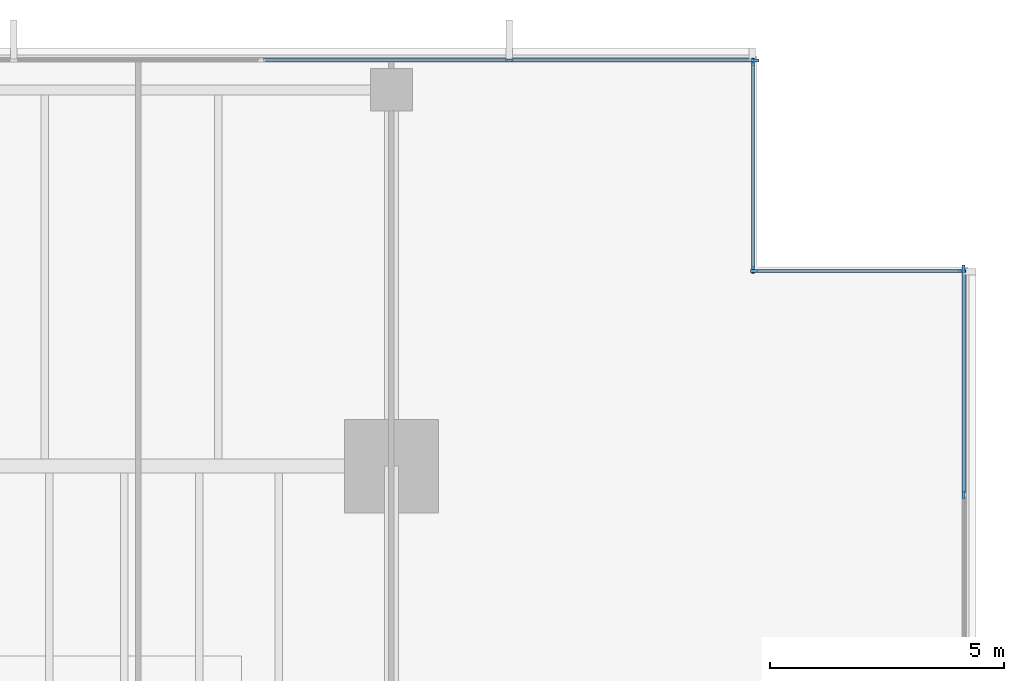
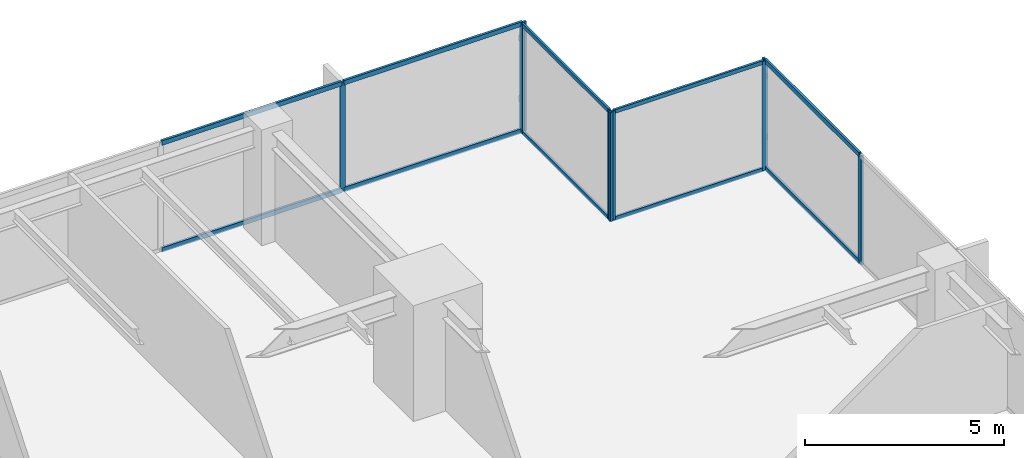
# One storey, part 7 of 15: 18 members, 4 elements without a shape of their own.
"""IFC4 building model written with IfcOpenShell, lengths in metres."""

from ifc_helpers import new_model, si_unit, direction, frame, origin, origin_2d, place, context, subcontext, project, spatial, rectangle, extrude, material, layer, layer_set, material_profile, profile_set, type_object, element, aggregate, save


model = new_model("IFC4")

# Units and contexts
model_context = context("Model", 3, precision=1e-05, world=origin(), true_north=direction((0.0, 1.0)))
body_context = subcontext(model_context, "Body", "Model", "MODEL_VIEW")
ifc_project = project(units=[si_unit("LENGTHUNIT", "METRE"), si_unit("AREAUNIT", "SQUARE_METRE"), si_unit("VOLUMEUNIT", "CUBIC_METRE"), si_unit("PLANEANGLEUNIT", "RADIAN"), si_unit("MASSUNIT", "GRAM", prefix="KILO")], contexts=[model_context])

# Site, building, storey
site_placement = place(None, origin())
site = spatial("IfcSite", under=ifc_project, at=site_placement, CompositionType="ELEMENT")
building_placement = place(site_placement, origin())
building = spatial("IfcBuilding", under=site, at=building_placement, Name="Kinhvarn Gate Tower", CompositionType="ELEMENT")
storey_placement = place(building_placement, frame((0.0, 0.0, 169.699951171875)))
storey = spatial("IfcBuildingStorey", under=building, at=storey_placement, Name="L45", CompositionType="ELEMENT", Elevation=169.699951171875)

# Curtain wall, members
ifc_material = material(Name="Anodised aluminium AW-6063", Category="aluminium")
ifc_layer_1 = layer(ifc_material, 0.179931640625)
ifc_layer_set_1 = layer_set([ifc_layer_1], Name="Anodised aluminium AW-6063")
curtain_wall_type_1 = type_object("IfcCurtainWallType", Name="CW-SYS-3", PredefinedType="NOTDEFINED", material=ifc_layer_set_1)
curtain_wall_1_placement = place(storey_placement, origin())
curtain_wall_1 = element("IfcCurtainWall", 1, at=curtain_wall_1_placement, inside=storey, type_object=curtain_wall_type_1, Name="Curtain Wall CW3 (L45)", PredefinedType="NOTDEFINED")
ifc_material_profile_1 = material_profile(ifc_material, rectangle(XDim=0.06494140625, YDim=0.159912109375, at=origin_2d()), Name="ALU 65x160")
ifc_profile_set_1 = profile_set([ifc_material_profile_1], Name="Anodised aluminium AW-6063")
member_type_1 = type_object("IfcMemberType", Name="CW-MUL-160", PredefinedType="MULLION", material=ifc_profile_set_1)
member_1_placement = place(storey_placement, frame((45.967529296875, 46.409912109375, 0.0), z_axis=(0.0, 0.0, 1.0), x_axis=(0.0, -1.0, 0.0)))
member_1 = element("IfcMember", 2, at=member_1_placement, type_object=member_type_1, Name="CW3 mullion 1", PredefinedType="MULLION", context=body_context, shape_type="SweptSolid", body=[
    extrude(rectangle(XDim=0.06494140625, YDim=0.159912109375, at=origin_2d()), origin(), (0.0, 0.0, 1.0), 3.35009765625),
])
member_2_placement = place(storey_placement, frame((40.71435546875, 46.409912109375, 0.0), z_axis=(0.0, 0.0, 1.0), x_axis=(0.0, -1.0, 0.0)))
member_2 = element("IfcMember", 3, at=member_2_placement, type_object=member_type_1, Name="CW3 mullion 2", PredefinedType="MULLION", context=body_context, shape_type="SweptSolid", body=[
    extrude(rectangle(XDim=0.06494140625, YDim=0.159912109375, at=origin_2d()), origin(), (0.0, 0.0, 1.0), 3.35009765625),
])

curtain_wall_2_placement = place(storey_placement, origin())
curtain_wall_2 = element("IfcCurtainWall", 4, at=curtain_wall_2_placement, inside=storey, type_object=curtain_wall_type_1, Name="Curtain Wall CW3 (L45)", PredefinedType="NOTDEFINED")
member_3_placement = place(storey_placement, frame((50.409912109375, 37.142822265625, 0.0), z_axis=(0.0, 0.0, 1.0), x_axis=(-1.0, 0.0, 0.0)))
member_3 = element("IfcMember", 5, at=member_3_placement, type_object=member_type_1, Name="CW3 mullion 7", PredefinedType="MULLION", context=body_context, shape_type="SweptSolid", body=[
    extrude(rectangle(XDim=0.06494140625, YDim=0.159912109375, at=origin_2d()), origin(), (0.0, 0.0, 1.0), 3.35009765625),
])
member_4_placement = place(storey_placement, frame((50.409912109375, 41.967529296875, 0.0), z_axis=(0.0, 0.0, 1.0), x_axis=(-1.0, 0.0, 0.0)))
member_4 = element("IfcMember", 6, at=member_4_placement, type_object=member_type_1, Name="CW3 mullion 8", PredefinedType="MULLION", context=body_context, shape_type="SweptSolid", body=[
    extrude(rectangle(XDim=0.06494140625, YDim=0.159912109375, at=origin_2d()), origin(), (0.0, 0.0, 1.0), 3.35009765625),
])

ifc_layer_2 = layer(ifc_material, 0.179931640625)
ifc_layer_set_2 = layer_set([ifc_layer_2], Name="Anodised aluminium AW-6063")
curtain_wall_type_2 = type_object("IfcCurtainWallType", Name="CW-SYS-4", PredefinedType="NOTDEFINED", material=ifc_layer_set_2)
curtain_wall_3_placement = place(storey_placement, origin())
curtain_wall_3 = element("IfcCurtainWall", 7, at=curtain_wall_3_placement, inside=storey, type_object=curtain_wall_type_2, Name="Curtain Wall CW4 (L45)", PredefinedType="NOTDEFINED")
member_5_placement = place(storey_placement, frame((50.37744140625, 41.909912109375, 0.0), z_axis=(0.0, 0.0, 1.0), x_axis=(0.0, -1.0, 0.0)))
member_5 = element("IfcMember", 8, at=member_5_placement, type_object=member_type_1, Name="CW4 mullion 1", PredefinedType="MULLION", context=body_context, shape_type="SweptSolid", body=[
    extrude(rectangle(XDim=0.06494140625, YDim=0.159912109375, at=origin_2d()), origin(), (0.0, 0.0, 1.0), 3.35009765625),
])
member_6_placement = place(storey_placement, frame((45.9423828125, 41.909912109375, 0.0), z_axis=(0.0, 0.0, 1.0), x_axis=(0.0, -1.0, 0.0)))
member_6 = element("IfcMember", 9, at=member_6_placement, type_object=member_type_1, Name="CW4 mullion 2", PredefinedType="MULLION", context=body_context, shape_type="SweptSolid", body=[
    extrude(rectangle(XDim=0.06494140625, YDim=0.159912109375, at=origin_2d()), origin(), (0.0, 0.0, 1.0), 3.35009765625),
])

curtain_wall_4_placement = place(storey_placement, origin())
curtain_wall_4 = element("IfcCurtainWall", 10, at=curtain_wall_4_placement, inside=storey, type_object=curtain_wall_type_2, Name="Curtain Wall CW4 (L45)", PredefinedType="NOTDEFINED")
member_7_placement = place(storey_placement, frame((45.909912109375, 41.9423828125, 0.0), z_axis=(0.0, 0.0, 1.0), x_axis=(-1.0, 0.0, 0.0)))
member_7 = element("IfcMember", 11, at=member_7_placement, type_object=member_type_1, Name="CW4 mullion 1", PredefinedType="MULLION", context=body_context, shape_type="SweptSolid", body=[
    extrude(rectangle(XDim=0.06494140625, YDim=0.159912109375, at=origin_2d()), origin(), (0.0, 0.0, 1.0), 3.35009765625),
])
member_8_placement = place(storey_placement, frame((45.909912109375, 46.37744140625, 0.0), z_axis=(0.0, 0.0, 1.0), x_axis=(-1.0, 0.0, 0.0)))
member_8 = element("IfcMember", 12, at=member_8_placement, type_object=member_type_1, Name="CW4 mullion 2", PredefinedType="MULLION", context=body_context, shape_type="SweptSolid", body=[
    extrude(rectangle(XDim=0.06494140625, YDim=0.159912109375, at=origin_2d()), origin(), (0.0, 0.0, 1.0), 3.35009765625),
])

# Member
ifc_material_profile_2 = material_profile(ifc_material, rectangle(XDim=0.06494140625, YDim=0.1201171875, at=origin_2d()), Name="ALU 65x120")
ifc_profile_set_2 = profile_set([ifc_material_profile_2], Name="Anodised aluminium AW-6063")
member_type_2 = type_object("IfcMemberType", Name="CW-TRN-120", PredefinedType="USERDEFINED", material=ifc_profile_set_2)
member_9_placement = place(storey_placement, frame((50.344970703125, 41.909912109375, 0.032470703125), z_axis=(-1.0, 0.0, 0.0), x_axis=(0.0, -1.0, 0.0)))
member_9 = element("IfcMember", 13, at=member_9_placement, type_object=member_type_2, Name="CW4 transom 1.1", ObjectType="TRANSOM", PredefinedType="USERDEFINED", context=body_context, shape_type="SweptSolid", body=[
    extrude(rectangle(XDim=0.06494140625, YDim=0.1201171875, at=origin_2d()), origin(), (0.0, 0.0, 1.0), 4.369873046875),
])

member_10_placement = place(storey_placement, frame((50.344970703125, 41.909912109375, 3.317626953125), z_axis=(-1.0, 0.0, 0.0), x_axis=(0.0, -1.0, 0.0)))
member_10 = element("IfcMember", 14, at=member_10_placement, type_object=member_type_2, Name="CW4 transom 1.2", ObjectType="TRANSOM", PredefinedType="USERDEFINED", context=body_context, shape_type="SweptSolid", body=[
    extrude(rectangle(XDim=0.06494140625, YDim=0.1201171875, at=origin_2d()), origin(), (0.0, 0.0, 1.0), 4.369873046875),
])

aggregate(curtain_wall_3, [member_5, member_6, member_9, member_10])

member_11_placement = place(storey_placement, frame((45.909912109375, 41.97509765625, 0.032470703125), z_axis=(0.0, 1.0, 0.0), x_axis=(-1.0, 0.0, 0.0)))
member_11 = element("IfcMember", 15, at=member_11_placement, type_object=member_type_2, Name="CW4 transom 1.1", ObjectType="TRANSOM", PredefinedType="USERDEFINED", context=body_context, shape_type="SweptSolid", body=[
    extrude(rectangle(XDim=0.06494140625, YDim=0.1201171875, at=origin_2d()), origin(), (0.0, 0.0, 1.0), 4.369873046875),
])

member_12_placement = place(storey_placement, frame((45.909912109375, 41.97509765625, 3.317626953125), z_axis=(0.0, 1.0, 0.0), x_axis=(-1.0, 0.0, 0.0)))
member_12 = element("IfcMember", 16, at=member_12_placement, type_object=member_type_2, Name="CW4 transom 1.2", ObjectType="TRANSOM", PredefinedType="USERDEFINED", context=body_context, shape_type="SweptSolid", body=[
    extrude(rectangle(XDim=0.06494140625, YDim=0.1201171875, at=origin_2d()), origin(), (0.0, 0.0, 1.0), 4.369873046875),
])

aggregate(curtain_wall_4, [member_7, member_8, member_11, member_12])

ifc_material_profile_3 = material_profile(ifc_material, rectangle(XDim=0.070068359375, YDim=0.139892578125, at=origin_2d()), Name="ALU 70x140")
ifc_profile_set_3 = profile_set([ifc_material_profile_3], Name="Anodised aluminium AW-6063")
member_type_3 = type_object("IfcMemberType", Name="CW-TRN-140", PredefinedType="USERDEFINED", material=ifc_profile_set_3)
member_13_placement = place(storey_placement, frame((45.93505859375, 46.409912109375, 0.03515625), z_axis=(-1.0, 0.0, 0.0), x_axis=(0.0, -1.0, 0.0)))
member_13 = element("IfcMember", 17, at=member_13_placement, type_object=member_type_3, Name="CW3 transom 1.1", ObjectType="TRANSOM", PredefinedType="USERDEFINED", context=body_context, shape_type="SweptSolid", body=[
    extrude(rectangle(XDim=0.070068359375, YDim=0.139892578125, at=origin_2d()), origin(), (0.0, 0.0, 1.0), 5.188232421875),
])

member_14_placement = place(storey_placement, frame((45.93505859375, 46.409912109375, 3.31494140625), z_axis=(-1.0, 0.0, 0.0), x_axis=(0.0, -1.0, 0.0)))
member_14 = element("IfcMember", 18, at=member_14_placement, type_object=member_type_3, Name="CW3 transom 1.2", ObjectType="TRANSOM", PredefinedType="USERDEFINED", context=body_context, shape_type="SweptSolid", body=[
    extrude(rectangle(XDim=0.070068359375, YDim=0.139892578125, at=origin_2d()), origin(), (0.0, 0.0, 1.0), 5.188232421875),
])

member_15_placement = place(storey_placement, frame((40.681884765625, 46.409912109375, 0.03515625), z_axis=(-1.0, 0.0, 0.0), x_axis=(0.0, -1.0, 0.0)))
member_15 = element("IfcMember", 19, at=member_15_placement, type_object=member_type_3, Name="CW3 transom 2.1", ObjectType="TRANSOM", PredefinedType="USERDEFINED", context=body_context, shape_type="SweptSolid", body=[
    extrude(rectangle(XDim=0.070068359375, YDim=0.139892578125, at=origin_2d()), origin(), (0.0, 0.0, 1.0), 5.220703125),
])

member_16_placement = place(storey_placement, frame((40.681884765625, 46.409912109375, 3.31494140625), z_axis=(-1.0, 0.0, 0.0), x_axis=(0.0, -1.0, 0.0)))
member_16 = element("IfcMember", 20, at=member_16_placement, type_object=member_type_3, Name="CW3 transom 2.2", ObjectType="TRANSOM", PredefinedType="USERDEFINED", context=body_context, shape_type="SweptSolid", body=[
    extrude(rectangle(XDim=0.070068359375, YDim=0.139892578125, at=origin_2d()), origin(), (0.0, 0.0, 1.0), 5.220703125),
])

aggregate(curtain_wall_1, [member_1, member_2, member_13, member_14, member_15, member_16])

member_17_placement = place(storey_placement, frame((50.409912109375, 37.17529296875, 0.03515625), z_axis=(0.0, 1.0, 0.0), x_axis=(-1.0, 0.0, 0.0)))
member_17 = element("IfcMember", 21, at=member_17_placement, type_object=member_type_3, Name="CW3 transom 7.1", ObjectType="TRANSOM", PredefinedType="USERDEFINED", context=body_context, shape_type="SweptSolid", body=[
    extrude(rectangle(XDim=0.070068359375, YDim=0.139892578125, at=origin_2d()), origin(), (0.0, 0.0, 1.0), 4.759765625),
])

member_18_placement = place(storey_placement, frame((50.409912109375, 37.17529296875, 3.31494140625), z_axis=(0.0, 1.0, 0.0), x_axis=(-1.0, 0.0, 0.0)))
member_18 = element("IfcMember", 22, at=member_18_placement, type_object=member_type_3, Name="CW3 transom 7.2", ObjectType="TRANSOM", PredefinedType="USERDEFINED", context=body_context, shape_type="SweptSolid", body=[
    extrude(rectangle(XDim=0.070068359375, YDim=0.139892578125, at=origin_2d()), origin(), (0.0, 0.0, 1.0), 4.759765625),
])

aggregate(curtain_wall_2, [member_3, member_4, member_17, member_18])

save(model, "model.ifc")
